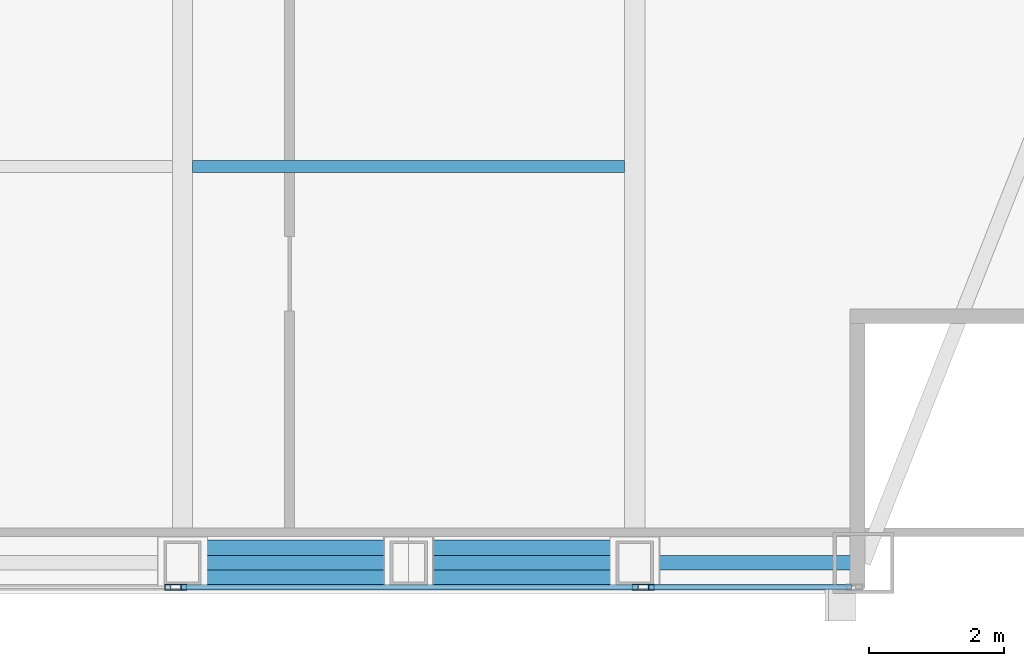
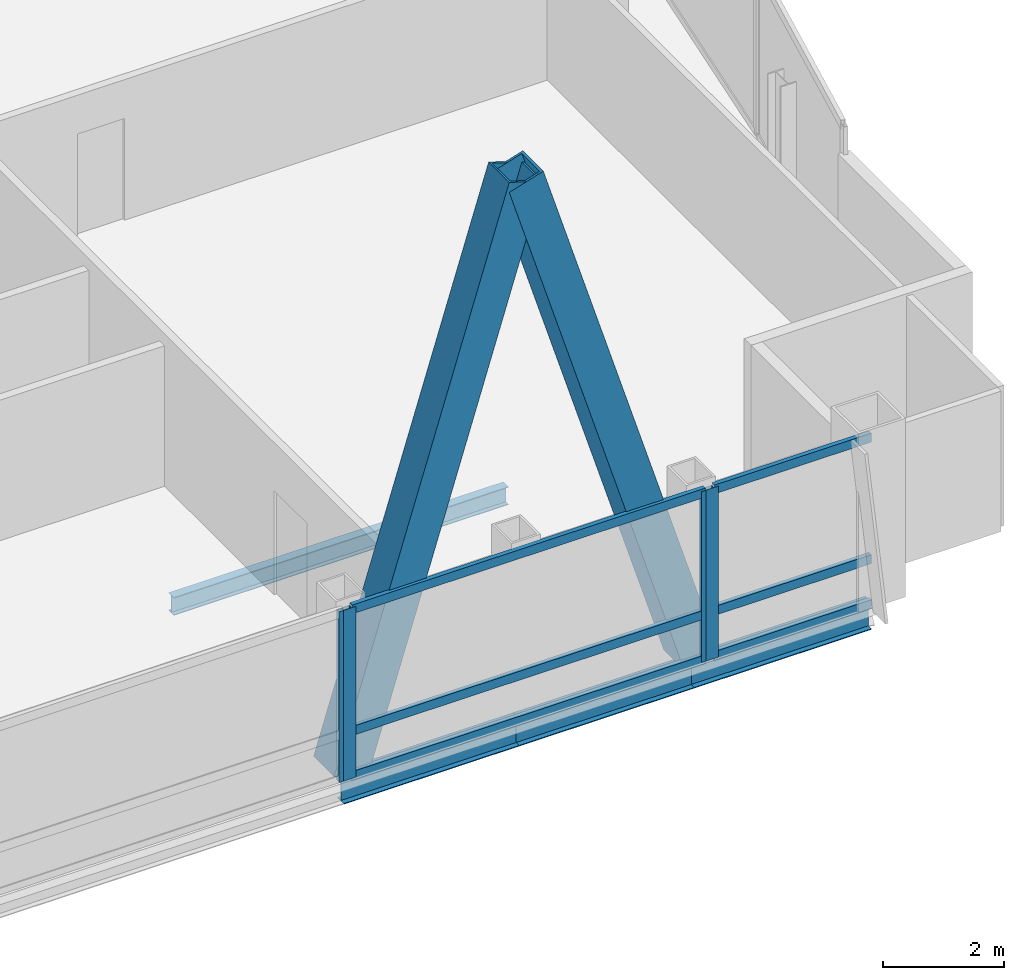
# One storey, part 15 of 31: 12 members, 4 beams, 3 elements without a shape of their own.
"""IFC4 building model written with IfcOpenShell, lengths in metres."""

import ifcopenshell
import ifcopenshell.guid

model = None  # the IFC model being written
_history = None  # IfcOwnerHistory: only IFC2X3 demands one
_inside = {}  # id of a spatial element -> (the spatial element, [elements in it])
_under = {}  # id of a project, library or spatial element -> (it, [spatial elements below it])
_declared = {}  # id of a project -> (the project, [libraries it declares])
_typed = {}  # id of a type object -> (the type object, [elements of that type])
_made_of = {}  # id of a material, layer set ... -> (it, [elements and type objects made of it])


def new_model(schema):
    """Start an empty IFC model of exactly this schema.

    Asked for "IFC4X3", IfcOpenShell would pick the latest addendum, in which some entities
    have other attributes; the version numbers below select the first issue.
    IFC2X3 requires an IfcOwnerHistory on every rooted entity: one is made here for all.
    """
    global model, _history
    if schema == "IFC4X3":
        model = ifcopenshell.file(schema_version=(4, 3, 0, 0))
    else:
        model = ifcopenshell.file(schema=schema)
    _inside.clear()
    _under.clear()
    _declared.clear()
    _typed.clear()
    _made_of.clear()
    _history = None
    if model.schema == "IFC2X3":
        org = make("IfcOrganization", Name="unknown")
        user = make(
            "IfcPersonAndOrganization",
            ThePerson=make("IfcPerson", FamilyName="unknown"),
            TheOrganization=org,
        )
        app = make(
            "IfcApplication",
            ApplicationDeveloper=org,
            Version="unknown",
            ApplicationFullName="unknown",
            ApplicationIdentifier="unknown",
        )
        _history = make(
            "IfcOwnerHistory",
            OwningUser=user,
            OwningApplication=app,
            ChangeAction="ADDED",
            CreationDate=0,
        )
    return model


def make(cls, **values):
    """One entity of the class cls with the attributes given. An attribute that is None is left unset."""
    return model.create_entity(
        cls, **{name: value for name, value in values.items() if value is not None}
    )


def rooted(cls, **values):
    """An entity with a GlobalId (a new one), such as an element, a storey or a relation."""
    return make(cls, GlobalId=ifcopenshell.guid.new(), OwnerHistory=_history, **values)


def si_unit(unit_type, name, prefix=None):
    """IfcSIUnit, for example si_unit("LENGTHUNIT", "METRE", prefix="MILLI")."""
    return make("IfcSIUnit", UnitType=unit_type, Prefix=prefix, Name=name)


def assignment(units):
    """IfcUnitAssignment: the units of a project."""
    return None if units is None else make("IfcUnitAssignment", Units=units)


def point(xyz):
    """IfcCartesianPoint."""
    return None if xyz is None else make("IfcCartesianPoint", Coordinates=xyz)


def direction(xyz):
    """IfcDirection."""
    return None if xyz is None else make("IfcDirection", DirectionRatios=xyz)


def frame(location, z_axis=None, x_axis=None):
    """IfcAxis2Placement3D, a coordinate frame: its origin and axes. An axis left out is left unset."""
    return make(
        "IfcAxis2Placement3D",
        Location=point(location),
        Axis=direction(z_axis),
        RefDirection=direction(x_axis),
    )


def frame_2d(location, x_axis=None):
    """IfcAxis2Placement2D, a coordinate frame in the plane: its origin and x axis."""
    return make(
        "IfcAxis2Placement2D", Location=point(location), RefDirection=direction(x_axis)
    )


def origin():
    """The frame at (0, 0, 0) with its axes left unset."""
    return frame((0.0, 0.0, 0.0))


def origin_2d():
    """The frame at (0, 0) in the plane with its x axis left unset."""
    return frame_2d((0.0, 0.0))


def place(relative_to, where):
    """IfcLocalPlacement: puts the frame where relative to a parent placement (None: the world)."""
    return make(
        "IfcLocalPlacement", PlacementRelTo=relative_to, RelativePlacement=where
    )


def context(
    kind, dimensions, precision=None, world=None, true_north=None, identifier=None
):
    """IfcGeometricRepresentationContext, for example the 3D "Model" context."""
    return make(
        "IfcGeometricRepresentationContext",
        ContextIdentifier=identifier,
        ContextType=kind,
        CoordinateSpaceDimension=dimensions,
        Precision=precision,
        WorldCoordinateSystem=world,
        TrueNorth=true_north,
    )


def subcontext(parent, identifier, kind, view, scale=None):
    """IfcGeometricRepresentationSubContext, for example "Body" below "Model"."""
    return make(
        "IfcGeometricRepresentationSubContext",
        ContextIdentifier=identifier,
        ContextType=kind,
        ParentContext=parent,
        TargetScale=scale,
        TargetView=view,
    )


def project(units=None, contexts=None):
    """IfcProject with its units and contexts."""
    return rooted(
        "IfcProject",
        Name="project",
        RepresentationContexts=contexts,
        UnitsInContext=assignment(units),
    )


def spatial(cls, under=None, at=None, **own):
    """A site, building, storey or space (cls), placed at a placement, below another one or the project."""
    s = rooted(cls, ObjectPlacement=at, **own)
    if under is not None:
        _under.setdefault(under.id(), (under, []))[1].append(s)
    return s


def profile(cls, at=None, kind="AREA", **sizes):
    """A parametric profile (cls). Its sizes go by their IFC names, for example OverallWidth=200.0."""
    return make(cls, ProfileType=kind, Position=at, **sizes)


def hollow_rectangle(**sizes):
    """IfcRectangleHollowProfileDef."""
    return profile("IfcRectangleHollowProfileDef", **sizes)


def i_section(**sizes):
    """IfcIShapeProfileDef."""
    return profile("IfcIShapeProfileDef", **sizes)


def extrude(swept, where, along, depth):
    """IfcExtrudedAreaSolid: the profile swept, set in the frame where, extruded along a direction by depth."""
    return make(
        "IfcExtrudedAreaSolid",
        SweptArea=swept,
        Position=where,
        ExtrudedDirection=direction(along),
        Depth=depth,
    )


def shape(context_of_items, identifier, shape_type, items):
    """IfcShapeRepresentation: the items that make up one representation, for example the "Body"."""
    return make(
        "IfcShapeRepresentation",
        ContextOfItems=context_of_items,
        RepresentationIdentifier=identifier,
        RepresentationType=shape_type,
        Items=items,
    )


def material(Name=None, Category=None):
    """IfcMaterial."""
    return make("IfcMaterial", Name=Name, Category=Category)


def material_profile(
    of_material, cross_section, Name=None, Category=None, Priority=None
):
    """IfcMaterialProfile: a cross section and its material."""
    return make(
        "IfcMaterialProfile",
        Name=Name,
        Material=of_material,
        Profile=cross_section,
        Priority=Priority,
        Category=Category,
    )


def profile_set(profiles, Name=None, composite=None):
    """IfcMaterialProfileSet."""
    return make(
        "IfcMaterialProfileSet",
        Name=Name,
        MaterialProfiles=profiles,
        CompositeProfile=composite,
    )


def made_of(thing, what):
    """Note that an element or type object is made of a material, layer set ...; save() writes the relation."""
    if what is not None:
        _made_of.setdefault(what.id(), (what, []))[1].append(thing)
    return thing


def type_object(cls, material=None, **own):
    """A type object (cls), such as IfcWallType, which elements share."""
    return made_of(rooted(cls, **own), material)


def element(
    cls,
    number,
    at=None,
    inside=None,
    cuts=None,
    type_object=None,
    material=None,
    context=None,
    identifier="Body",
    shape_type=None,
    held_by="IfcProductDefinitionShape",
    body=None,
    shapes=None,
    **own,
):
    """One element of the class cls, such as IfcWall. Its Tag is "e" and its number.

    at: its placement. inside: the storey or other place that contains it. cuts: it is an
    opening in that element (IfcRelVoidsElement). A single representation is given by context,
    identifier, shape_type and body (its items); several are given by shapes. held_by: the class
    of the entity that holds the representations. save() writes the other relations.
    """
    e = rooted(cls, Tag="e%d" % number, ObjectPlacement=at, **own)
    if body is not None:
        shapes = [shape(context, identifier, shape_type, body)]
    if shapes is not None:
        e.Representation = make(held_by, Representations=shapes)
    if inside is not None:
        _inside.setdefault(inside.id(), (inside, []))[1].append(e)
    if cuts is not None:
        rooted(
            "IfcRelVoidsElement", RelatingBuildingElement=cuts, RelatedOpeningElement=e
        )
    if type_object is not None:
        _typed.setdefault(type_object.id(), (type_object, []))[1].append(e)
    return made_of(e, material)


def aggregate(whole, parts):
    """IfcRelAggregates: a whole, such as a stair, and the parts it consists of."""
    return rooted("IfcRelAggregates", RelatingObject=whole, RelatedObjects=parts)


def save(model, path):
    """Write the relations noted so far, then the file.

    IfcRelAggregates (storeys below a building ...), IfcRelContainedInSpatialStructure (elements
    in a storey), IfcRelDefinesByType, IfcRelAssociatesMaterial and IfcRelDeclares: one each for
    every whole, place, type object, material and project.
    """
    for whole, parts in _under.values():
        aggregate(whole, parts)
    for where, things in _inside.values():
        rooted(
            "IfcRelContainedInSpatialStructure",
            RelatedElements=things,
            RelatingStructure=where,
        )
    for kind, things in _typed.values():
        rooted("IfcRelDefinesByType", RelatedObjects=things, RelatingType=kind)
    for what, things in _made_of.values():
        rooted("IfcRelAssociatesMaterial", RelatedObjects=things, RelatingMaterial=what)
    for by, libraries in _declared.values():
        rooted("IfcRelDeclares", RelatingContext=by, RelatedDefinitions=libraries)
    model.write(path)


model = new_model("IFC4")

# Units and contexts
model_context = context("Model", 3, precision=1e-05, world=origin(), true_north=direction((0.0, 1.0)))
body_context = subcontext(model_context, "Body", "Model", "MODEL_VIEW")
ifc_project = project(units=[si_unit("LENGTHUNIT", "METRE"), si_unit("AREAUNIT", "SQUARE_METRE"), si_unit("VOLUMEUNIT", "CUBIC_METRE"), si_unit("PLANEANGLEUNIT", "RADIAN"), si_unit("MASSUNIT", "GRAM", prefix="KILO")], contexts=[model_context])

# Site, building, storey
site_placement = place(None, origin())
site = spatial("IfcSite", under=ifc_project, at=site_placement, CompositionType="ELEMENT")
building_placement = place(site_placement, origin())
building = spatial("IfcBuilding", under=site, at=building_placement, Name="Khoronbel Lancet Exchange", CompositionType="ELEMENT")
storey_placement = place(building_placement, frame((0.0, 0.0, 325.39990234375)))
storey = spatial("IfcBuildingStorey", under=building, at=storey_placement, Name="L84", CompositionType="ELEMENT", Elevation=325.39990234375)

# Beams
ifc_material_1 = material(Name="Steel S355", Category="steel")
ifc_material_profile_1 = material_profile(ifc_material_1, i_section(OverallWidth=0.169921875, OverallDepth=0.360107421875, WebThickness=0.008056640625, FlangeThickness=0.0126953125, at=origin_2d()), Name="IPE 360")
ifc_profile_set_1 = profile_set([ifc_material_profile_1], Name="Steel S355")
beam_type_1 = type_object("IfcBeamType", Name="BM-BJ6", PredefinedType="JOIST", material=ifc_profile_set_1)
beam_1_placement = place(storey_placement, frame((48.14990234375, 16.0, -0.33984375), z_axis=(1.0, 0.0, 0.0), x_axis=(0.0, 1.0, 0.0)))
element("IfcBeam", 1, at=beam_1_placement, inside=storey, type_object=beam_type_1, Name="Level L84 secondary composite joist J03", PredefinedType="JOIST", context=body_context, shape_type="SweptSolid", body=[
    extrude(i_section(OverallWidth=0.169921875, OverallDepth=0.360107421875, WebThickness=0.008056640625, FlangeThickness=0.0126953125, at=origin_2d()), origin(), (0.0, 0.0, 1.0), 6.375),
])
ifc_material_profile_2 = material_profile(ifc_material_1, i_section(OverallWidth=0.2099609375, OverallDepth=0.550048828125, WebThickness=0.010986328125, FlangeThickness=0.01708984375, at=origin_2d()), Name="IPE 550")
ifc_profile_set_2 = profile_set([ifc_material_profile_2], Name="Steel S355")
beam_type_2 = type_object("IfcBeamType", Name="BM-BSP3", PredefinedType="SPANDREL", material=ifc_profile_set_2)
beam_2_placement = place(storey_placement, frame((48.0, 10.14990234375, -0.434814453125), z_axis=(1.0, 0.0, 0.0), x_axis=(0.0, 1.0, 0.0)))
element("IfcBeam", 2, at=beam_2_placement, inside=storey, type_object=beam_type_2, Name="Level L84 perimeter spandrel beam SP05", PredefinedType="SPANDREL", context=body_context, shape_type="SweptSolid", body=[
    extrude(i_section(OverallWidth=0.2099609375, OverallDepth=0.550048828125, WebThickness=0.010986328125, FlangeThickness=0.01708984375, at=origin_2d()), origin(), (0.0, 0.0, 1.0), 3.33740234375),
])
beam_3_placement = place(storey_placement, frame((51.33740234375, 10.14990234375, -0.434814453125), z_axis=(1.0, 0.0, 0.0), x_axis=(0.0, 1.0, 0.0)))
element("IfcBeam", 3, at=beam_3_placement, inside=storey, type_object=beam_type_2, Name="Level L84 perimeter spandrel beam SP06", PredefinedType="SPANDREL", context=body_context, shape_type="SweptSolid", body=[
    extrude(i_section(OverallWidth=0.2099609375, OverallDepth=0.550048828125, WebThickness=0.010986328125, FlangeThickness=0.01708984375, at=origin_2d()), origin(), (0.0, 0.0, 1.0), 3.337646484375),
])
beam_4_placement = place(storey_placement, frame((54.675048828125, 10.14990234375, -0.434814453125), z_axis=(1.0, 0.0, 0.0), x_axis=(0.0, 1.0, 0.0)))
element("IfcBeam", 4, at=beam_4_placement, inside=storey, type_object=beam_type_2, Name="Level L84 perimeter spandrel beam SP07", PredefinedType="SPANDREL", context=body_context, shape_type="SweptSolid", body=[
    extrude(i_section(OverallWidth=0.2099609375, OverallDepth=0.550048828125, WebThickness=0.010986328125, FlangeThickness=0.01708984375, at=origin_2d()), origin(), (0.0, 0.0, 1.0), 3.375),
])

# Curtain wall, member
ifc_material_2 = material(Name="Low-E Solar Control Insulating Glass", Category="glass")
curtain_wall_type = type_object("IfcCurtainWallType", Name="CW-3", PredefinedType="NOTDEFINED", material=ifc_material_2)
curtain_wall_1_placement = place(storey_placement, origin())
curtain_wall_1 = element("IfcCurtainWall", 5, at=curtain_wall_1_placement, inside=storey, type_object=curtain_wall_type, Name="Unitised curtain wall CW-L84-SCV", PredefinedType="NOTDEFINED")
ifc_material_3 = material(Name="Bronze-Anodised Aluminium 6063-T6", Category="aluminium")
ifc_material_profile_3 = material_profile(ifc_material_3, hollow_rectangle(XDim=0.0849609375, YDim=0.239990234375, WallThickness=0.006103515625, at=origin_2d()), Name="ALU MULLION 85x240")
ifc_profile_set_3 = profile_set([ifc_material_profile_3], Name="Bronze-Anodised Aluminium 6063-T6")
member_type_1 = type_object("IfcMemberType", Name="MEM-CWM1", PredefinedType="MULLION", material=ifc_profile_set_3)
member_1_placement = place(storey_placement, frame((47.857421875, 9.7900390625, 0.0), z_axis=(0.0, 0.0, 1.0), x_axis=(0.0, 1.0, 0.0)))
member_1 = element("IfcMember", 6, at=member_1_placement, type_object=member_type_1, Name="CW3 mullion 3", PredefinedType="MULLION", context=body_context, shape_type="SweptSolid", body=[
    extrude(hollow_rectangle(XDim=0.0849609375, YDim=0.239990234375, WallThickness=0.006103515625, at=origin_2d()), origin(), (0.0, 0.0, 1.0), 3.440185546875),
])
aggregate(curtain_wall_1, [member_1])

# Curtain wall, members
curtain_wall_2_placement = place(storey_placement, origin())
curtain_wall_2 = element("IfcCurtainWall", 7, at=curtain_wall_2_placement, inside=storey, type_object=curtain_wall_type, Name="Unitised curtain wall CW-L84-SEB", PredefinedType="NOTDEFINED")
member_2_placement = place(storey_placement, frame((47.9423828125, 9.7900390625, 0.0), z_axis=(0.0, 0.0, 1.0), x_axis=(0.0, 1.0, 0.0)))
member_2 = element("IfcMember", 8, at=member_2_placement, type_object=member_type_1, Name="CW3 mullion 1", PredefinedType="MULLION", context=body_context, shape_type="SweptSolid", body=[
    extrude(hollow_rectangle(XDim=0.0849609375, YDim=0.239990234375, WallThickness=0.006103515625, at=origin_2d()), origin(), (0.0, 0.0, 1.0), 3.440185546875),
])
member_3_placement = place(storey_placement, frame((54.757568359375, 9.7900390625, 0.0), z_axis=(0.0, 0.0, 1.0), x_axis=(0.0, 1.0, 0.0)))
member_3 = element("IfcMember", 9, at=member_3_placement, type_object=member_type_1, Name="CW3 mullion 2", PredefinedType="MULLION", context=body_context, shape_type="SweptSolid", body=[
    extrude(hollow_rectangle(XDim=0.0849609375, YDim=0.239990234375, WallThickness=0.006103515625, at=origin_2d()), origin(), (0.0, 0.0, 1.0), 3.440185546875),
])

# Curtain wall, member
curtain_wall_3_placement = place(storey_placement, origin())
curtain_wall_3 = element("IfcCurtainWall", 10, at=curtain_wall_3_placement, inside=storey, type_object=curtain_wall_type, Name="Unitised curtain wall CW-L84-SEV", PredefinedType="NOTDEFINED")
member_4_placement = place(storey_placement, frame((54.842529296875, 9.7900390625, 0.0), z_axis=(0.0, 0.0, 1.0), x_axis=(0.0, 1.0, 0.0)))
member_4 = element("IfcMember", 11, at=member_4_placement, type_object=member_type_1, Name="CW3 mullion 1", PredefinedType="MULLION", context=body_context, shape_type="SweptSolid", body=[
    extrude(hollow_rectangle(XDim=0.0849609375, YDim=0.239990234375, WallThickness=0.006103515625, at=origin_2d()), origin(), (0.0, 0.0, 1.0), 3.440185546875),
])

# Member
ifc_material_profile_4 = material_profile(ifc_material_3, hollow_rectangle(XDim=0.0849609375, YDim=0.179931640625, WallThickness=0.0048828125, at=origin_2d()), Name="ALU TRANSOM 85x180")
ifc_profile_set_4 = profile_set([ifc_material_profile_4], Name="Bronze-Anodised Aluminium 6063-T6")
member_type_2 = type_object("IfcMemberType", Name="MEM-CWT1", PredefinedType="USERDEFINED", material=ifc_profile_set_4)
member_5_placement = place(storey_placement, frame((47.985107421875, 9.7900390625, 0.04248046875), z_axis=(1.0, 0.0, 0.0), x_axis=(0.0, 1.0, 0.0)))
member_5 = element("IfcMember", 12, at=member_5_placement, type_object=member_type_2, Name="CW3 transom 1.1", ObjectType="TRANSOM", PredefinedType="USERDEFINED", context=body_context, shape_type="SweptSolid", body=[
    extrude(hollow_rectangle(XDim=0.0849609375, YDim=0.179931640625, WallThickness=0.0048828125, at=origin_2d()), origin(), (0.0, 0.0, 1.0), 6.72998046875),
])

member_6_placement = place(storey_placement, frame((47.985107421875, 9.7900390625, 0.9501953125), z_axis=(1.0, 0.0, 0.0), x_axis=(0.0, 1.0, 0.0)))
member_6 = element("IfcMember", 13, at=member_6_placement, type_object=member_type_2, Name="CW3 transom 1.2", ObjectType="TRANSOM", PredefinedType="USERDEFINED", context=body_context, shape_type="SweptSolid", body=[
    extrude(hollow_rectangle(XDim=0.0849609375, YDim=0.179931640625, WallThickness=0.0048828125, at=origin_2d()), origin(), (0.0, 0.0, 1.0), 6.72998046875),
])

member_7_placement = place(storey_placement, frame((47.985107421875, 9.7900390625, 3.397705078125), z_axis=(1.0, 0.0, 0.0), x_axis=(0.0, 1.0, 0.0)))
member_7 = element("IfcMember", 14, at=member_7_placement, type_object=member_type_2, Name="CW3 transom 1.3", ObjectType="TRANSOM", PredefinedType="USERDEFINED", context=body_context, shape_type="SweptSolid", body=[
    extrude(hollow_rectangle(XDim=0.0849609375, YDim=0.179931640625, WallThickness=0.0048828125, at=origin_2d()), origin(), (0.0, 0.0, 1.0), 6.72998046875),
])

aggregate(curtain_wall_2, [member_2, member_3, member_5, member_6, member_7])

member_8_placement = place(storey_placement, frame((54.885009765625, 9.7900390625, 0.04248046875), z_axis=(1.0, 0.0, 0.0), x_axis=(0.0, 1.0, 0.0)))
member_8 = element("IfcMember", 15, at=member_8_placement, type_object=member_type_2, Name="CW3 transom 1.1", ObjectType="TRANSOM", PredefinedType="USERDEFINED", context=body_context, shape_type="SweptSolid", body=[
    extrude(hollow_rectangle(XDim=0.0849609375, YDim=0.179931640625, WallThickness=0.0048828125, at=origin_2d()), origin(), (0.0, 0.0, 1.0), 2.989990234375),
])

member_9_placement = place(storey_placement, frame((54.885009765625, 9.7900390625, 0.9501953125), z_axis=(1.0, 0.0, 0.0), x_axis=(0.0, 1.0, 0.0)))
member_9 = element("IfcMember", 16, at=member_9_placement, type_object=member_type_2, Name="CW3 transom 1.2", ObjectType="TRANSOM", PredefinedType="USERDEFINED", context=body_context, shape_type="SweptSolid", body=[
    extrude(hollow_rectangle(XDim=0.0849609375, YDim=0.179931640625, WallThickness=0.0048828125, at=origin_2d()), origin(), (0.0, 0.0, 1.0), 2.989990234375),
])

member_10_placement = place(storey_placement, frame((54.885009765625, 9.7900390625, 3.397705078125), z_axis=(1.0, 0.0, 0.0), x_axis=(0.0, 1.0, 0.0)))
member_10 = element("IfcMember", 17, at=member_10_placement, type_object=member_type_2, Name="CW3 transom 1.3", ObjectType="TRANSOM", PredefinedType="USERDEFINED", context=body_context, shape_type="SweptSolid", body=[
    extrude(hollow_rectangle(XDim=0.0849609375, YDim=0.179931640625, WallThickness=0.0048828125, at=origin_2d()), origin(), (0.0, 0.0, 1.0), 2.989990234375),
])

aggregate(curtain_wall_3, [member_4, member_8, member_9, member_10])

# Members
ifc_material_4 = material(Name="Steel S460", Category="steel")
ifc_material_profile_5 = material_profile(ifc_material_4, hollow_rectangle(XDim=0.679931640625, YDim=0.679931640625, WallThickness=0.044921875, at=origin_2d()), Name="BOX 680x680x45")
ifc_profile_set_5 = profile_set([ifc_material_profile_5], Name="Steel S460")
member_type_3 = type_object("IfcMemberType", Name="MEM-MB3", PredefinedType="BRACE", material=ifc_profile_set_5)
for number, where, z_axis, x_axis, name in (
    (18, (48.0, 10.14990234375, 0.0), (0.295242108906, 0.0, 0.955422470496), (0.0, 1.0, 0.0), "Perimeter lancet brace tier 29 S-E-L"),
    (19, (54.675048828125, 10.14990234375, 0.0), (-0.295261823895, 0.0, 0.955416378), (0.0, -1.0, 0.0), "Perimeter lancet brace tier 29 S-E-R"),
):
    element("IfcMember", number, at=place(storey_placement, frame(where, z_axis=z_axis, x_axis=x_axis)), inside=storey, type_object=member_type_3, Name=name, PredefinedType="BRACE", context=body_context, shape_type="SweptSolid", body=[
        extrude(hollow_rectangle(XDim=0.679931640625, YDim=0.679931640625, WallThickness=0.044921875, at=origin_2d()), origin(), (0.0, 0.0, 1.0), 11.303955078125),
    ])

save(model, "model.ifc")
